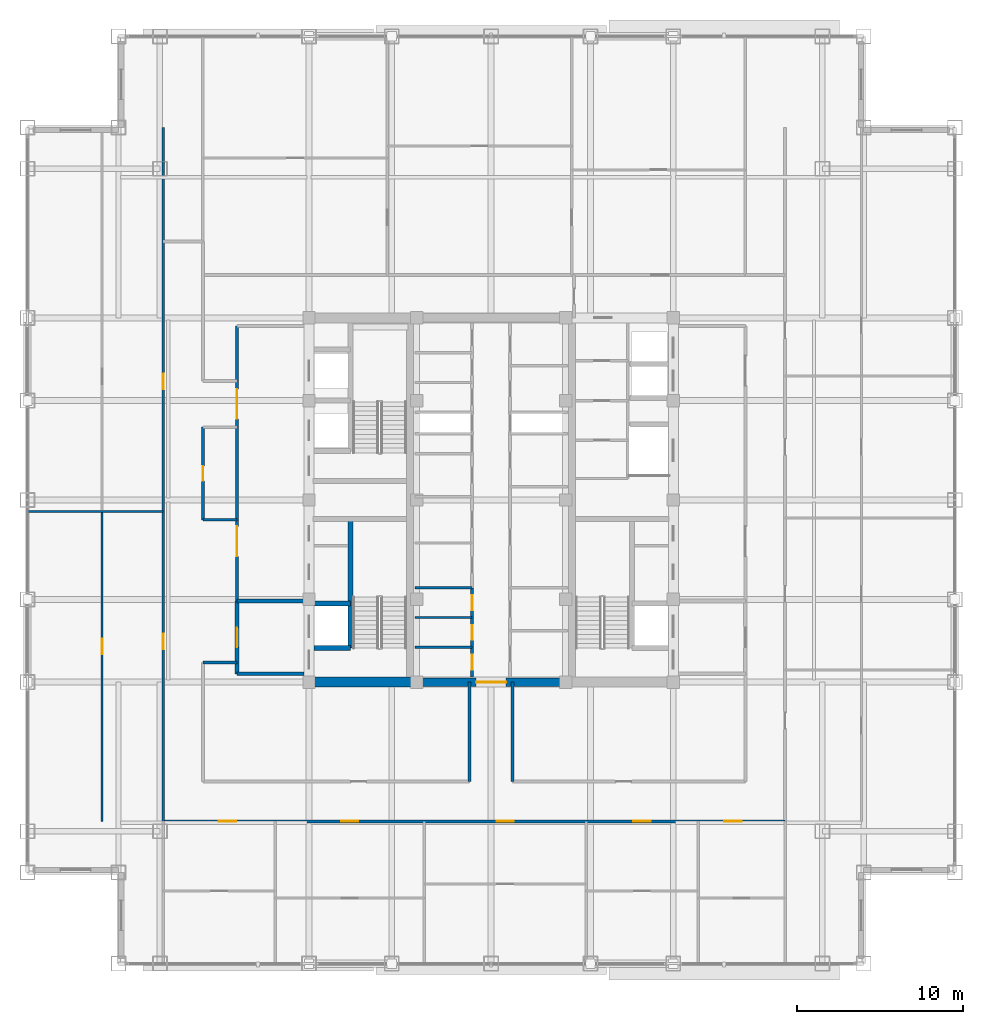
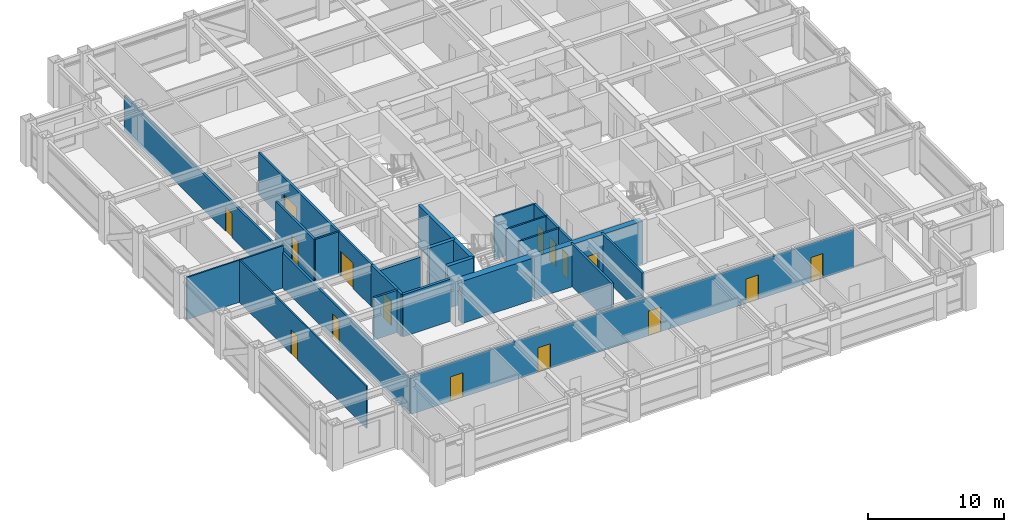
# One storey, part 18 of 27: 22 walls, 16 doors, 16 openings.
"""IFC4 building model written with IfcOpenShell, lengths in metres."""

from ifc_helpers import new_model, si_unit, direction, frame, frame_2d, origin, place, context, subcontext, project, spatial, rectangle, extrude, source, transform, mapped, material, layer, layer_set, type_object, element, fill, save


model = new_model("IFC4")

# Units and contexts
model_context = context("Model", 3, precision=1e-05, world=origin(), true_north=direction((0.0, 1.0)))
body_context = subcontext(model_context, "Body", "Model", "MODEL_VIEW")
ifc_project = project(units=[si_unit("LENGTHUNIT", "METRE"), si_unit("AREAUNIT", "SQUARE_METRE"), si_unit("VOLUMEUNIT", "CUBIC_METRE"), si_unit("PLANEANGLEUNIT", "RADIAN"), si_unit("MASSUNIT", "GRAM", prefix="KILO")], contexts=[model_context])

# Site, building, storey
site_placement = place(None, origin())
site = spatial("IfcSite", under=ifc_project, at=site_placement, CompositionType="ELEMENT")
building_placement = place(site_placement, origin())
building = spatial("IfcBuilding", under=site, at=building_placement, Name="Khorayat Bourse Tower", CompositionType="ELEMENT")
storey_placement = place(building_placement, frame((0.0, 0.0, 281.5)))
storey = spatial("IfcBuildingStorey", under=building, at=storey_placement, Name="L66", CompositionType="ELEMENT", Elevation=281.5)

# Wall
ifc_material_1 = material(Name="Concrete C60/75", Category="concrete")
ifc_layer_1 = layer(ifc_material_1, 0.60009765625)
ifc_layer_set_1 = layer_set([ifc_layer_1], Name="Concrete C60/75")
wall_type_1 = type_object("IfcWallType", Name="WAL-CORE-600", PredefinedType="SHEAR", material=ifc_layer_set_1)
shared_shape_1 = source(origin(), body_context, "Body", "SweptSolid", [
    extrude(rectangle(XDim=5.89990234375, YDim=0.60009765625, at=frame_2d((2.949951171875, 0.0))), origin(), (0.0, 0.0, 1.0), 3.780029296875),
])
wall_1_placement = place(storey_placement, frame((-10.75, -11.0, 0.0), z_axis=(0.0, 0.0, 1.0), x_axis=(1.0, 0.0, 0.0)))
element("IfcWall", 1, at=wall_1_placement, inside=storey, type_object=wall_type_1, Name="L66 Core Shear Wall PIER-WS", PredefinedType="SHEAR", context=body_context, shape_type="MappedRepresentation", body=[
    mapped(shared_shape_1, transform((0.0, 0.0, 0.0), scale=1.0)),
])

# Wall, opening, door
ifc_material_2 = material(Name="Concrete C52/65", Category="concrete")
ifc_layer_2 = layer(ifc_material_2, 0.5)
ifc_layer_set_2 = layer_set([ifc_layer_2], Name="Concrete C52/65")
wall_type_2 = type_object("IfcWallType", Name="WAL-CORE-500", PredefinedType="SHEAR", material=ifc_layer_set_2)
shared_shape_2 = source(origin(), body_context, "Body", "SweptSolid", [
    extrude(rectangle(XDim=9.2001953125, YDim=0.5, at=frame_2d((4.60009765625, 0.0))), origin(), (0.0, 0.0, 1.0), 3.780029296875),
])
wall_2_placement = place(storey_placement, frame((-4.60009765625, -11.0, 0.0), z_axis=(0.0, 0.0, 1.0), x_axis=(1.0, 0.0, 0.0)))
wall_2 = element("IfcWall", 2, at=wall_2_placement, inside=storey, type_object=wall_type_2, Name="L66 Core Shear Wall CORE-S", PredefinedType="SHEAR", context=body_context, shape_type="MappedRepresentation", body=[
    mapped(shared_shape_2, transform((0.0, 0.0, 0.0), scale=1.0)),
])
shared_shape_3 = source(origin(), body_context, "Body", "SweptSolid", [
    extrude(rectangle(XDim=1.800048828125, YDim=2.25, at=frame_2d((0.89990234375, 1.125))), frame((0.0, 0.260009765625, 0.0), z_axis=(0.0, -1.0, 0.0), x_axis=(1.0, 0.0, 0.0)), (0.0, 0.0, 1.0), 0.52001953125),
])
opening_1_placement = place(wall_2_placement, frame((3.699951171875, 0.0, 0.0)))
opening_1 = element("IfcOpeningElement", 3, at=opening_1_placement, cuts=wall_2, Name="Opening DI-03", PredefinedType="OPENING", context=body_context, shape_type="MappedRepresentation", body=[
    mapped(shared_shape_3, transform((0.0, 0.0, 0.0), scale=1.0)),
])
ifc_material_3 = material(Name="Fire-rated hardwood vision-panel double leaf", Category="wood")
door_type_1 = type_object("IfcDoorType", Name="DR-INT-CORR-1800", OperationType="NOTDEFINED", PredefinedType="DOOR", material=ifc_material_3)
shared_shape_4 = source(origin(), body_context, "Body", "SweptSolid", [
    extrude(rectangle(XDim=1.800048828125, YDim=2.25, at=frame_2d((0.89990234375, 1.125))), frame((0.0, 0.02490234375, 0.0), z_axis=(0.0, -1.0, 0.0), x_axis=(1.0, 0.0, 0.0)), (0.0, 0.0, 1.0), 0.050048828125),
])
door_1_placement = place(opening_1_placement, origin())
door_1 = element("IfcDoor", 4, at=door_1_placement, inside=storey, type_object=door_type_1, Name="L66 Central Core South Passage Door", OperationType="SINGLE_SWING_LEFT", OverallHeight=2.25, OverallWidth=1.800048828125, PredefinedType="DOOR", context=body_context, shape_type="MappedRepresentation", body=[
    mapped(shared_shape_4, transform((0.0, 0.0, 0.0), scale=1.0)),
])
fill(opening_1, door_1)

# Walls
ifc_material_4 = material(Name="Aerated concrete blockwork", Category="masonry")
ifc_layer_3 = layer(ifc_material_4, 0.219970703125)
ifc_layer_set_3 = layer_set([ifc_layer_3], Name="Aerated concrete blockwork")
wall_type_3 = type_object("IfcWallType", Name="WAL-PART-FF-220", PredefinedType="PARTITIONING", material=ifc_layer_set_3)
shared_shape_5 = source(origin(), body_context, "Body", "SweptSolid", [
    extrude(rectangle(XDim=4.050048828125, YDim=0.219970703125, at=frame_2d((2.02490234375, 0.0))), origin(), (0.0, 0.0, 1.0), 3.0849609375),
])
wall_3_placement = place(storey_placement, frame((-15.35009765625, -6.10009765625, 0.0), z_axis=(0.0, 0.0, 1.0), x_axis=(1.0, 0.0, 0.0)))
element("IfcWall", 5, at=wall_3_placement, inside=storey, type_object=wall_type_3, Name="L66 Partition WAL-L66-FFLW-N", PredefinedType="PARTITIONING", context=body_context, shape_type="MappedRepresentation", body=[
    mapped(shared_shape_5, transform((0.0, 0.0, 0.0), scale=1.0)),
])
ifc_material_5 = material(Name="Concrete C50/60", Category="concrete")
ifc_layer_4 = layer(ifc_material_5, 0.300048828125)
ifc_layer_set_4 = layer_set([ifc_layer_4], Name="Concrete C50/60")
wall_type_4 = type_object("IfcWallType", Name="WAL-SHAFT-300", PredefinedType="SHEAR", material=ifc_layer_set_4)
shared_shape_6 = source(origin(), body_context, "Body", "SweptSolid", [
    extrude(rectangle(XDim=7.800048828125, YDim=0.300048828125, at=frame_2d((3.89990234375, 0.0))), origin(), (0.0, 0.0, 1.0), 3.780029296875),
])
wall_4_placement = place(storey_placement, frame((-8.5, -8.949951171875, 0.0), z_axis=(0.0, 0.0, 1.0), x_axis=(0.0, 1.0, 0.0)))
element("IfcWall", 6, at=wall_4_placement, inside=storey, type_object=wall_type_4, Name="L66 Partition WAL-L66-WPIER-SP", PredefinedType="SHEAR", context=body_context, shape_type="MappedRepresentation", body=[
    mapped(shared_shape_6, transform((0.0, 0.0, 0.0), scale=1.0)),
])
shared_shape_7 = source(origin(), body_context, "Body", "SweptSolid", [
    extrude(rectangle(XDim=2.199951171875, YDim=0.300048828125, at=frame_2d((1.10009765625, 0.0))), origin(), (0.0, 0.0, 1.0), 3.780029296875),
])
for number, where, z_axis, x_axis, name in (
    (7, (-10.699951171875, -8.949951171875, 0.0), (0.0, 0.0, 1.0), (1.0, 0.0, 0.0), "L66 Partition WAL-L66-WPIER-FF1S"),
    (8, (-10.699951171875, -6.25, 0.0), (0.0, 0.0, 1.0), (1.0, 0.0, 0.0), "L66 Partition WAL-L66-WPIER-FF1N"),
):
    element("IfcWall", number, at=place(storey_placement, frame(where, z_axis=z_axis, x_axis=x_axis)), inside=storey, type_object=wall_type_4, Name=name, PredefinedType="SHEAR", context=body_context, shape_type="MappedRepresentation", body=[
        mapped(shared_shape_7, transform((0.0, 0.0, 0.0), scale=1.0)),
    ])
shared_shape_8 = source(origin(), body_context, "Body", "SweptSolid", [
    extrude(rectangle(XDim=4.050048828125, YDim=0.219970703125, at=frame_2d((2.02490234375, 0.0))), origin(), (0.0, 0.0, 1.0), 3.780029296875),
])
wall_5_placement = place(storey_placement, frame((-15.35009765625, -10.5, 0.0), z_axis=(0.0, 0.0, 1.0), x_axis=(1.0, 0.0, 0.0)))
element("IfcWall", 9, at=wall_5_placement, inside=storey, type_object=wall_type_3, Name="L66 Partition WAL-L66-FFLW-S", PredefinedType="PARTITIONING", context=body_context, shape_type="MappedRepresentation", body=[
    mapped(shared_shape_8, transform((0.0, 0.0, 0.0), scale=1.0)),
])

# Wall, opening, door
shared_shape_9 = source(origin(), body_context, "Body", "SweptSolid", [
    extrude(rectangle(XDim=4.39990234375, YDim=0.219970703125, at=frame_2d((2.199951171875, 0.0))), origin(), (0.0, 0.0, 1.0), 3.780029296875),
])
wall_6_placement = place(storey_placement, frame((-15.35009765625, -10.5, 0.0), z_axis=(0.0, 0.0, 1.0), x_axis=(0.0, 1.0, 0.0)))
wall_6 = element("IfcWall", 10, at=wall_6_placement, inside=storey, type_object=wall_type_3, Name="L66 Partition WAL-L66-FFLW-W", PredefinedType="PARTITIONING", context=body_context, shape_type="MappedRepresentation", body=[
    mapped(shared_shape_9, transform((0.0, 0.0, 0.0), scale=1.0)),
])
shared_shape_10 = source(origin(), body_context, "Body", "SweptSolid", [
    extrude(rectangle(XDim=1.199951171875, YDim=2.199951171875, at=frame_2d((0.60009765625, 1.10009765625))), frame((0.0, 0.119873046875, 0.0), z_axis=(0.0, -1.0, 0.0), x_axis=(1.0, 0.0, 0.0)), (0.0, 0.0, 1.0), 0.239990234375),
])
opening_2_placement = place(wall_6_placement, frame((1.60009765625, 0.0, 0.0)))
opening_2 = element("IfcOpeningElement", 11, at=opening_2_placement, cuts=wall_6, Name="Opening DI-02", PredefinedType="OPENING", context=body_context, shape_type="MappedRepresentation", body=[
    mapped(shared_shape_10, transform((0.0, 0.0, 0.0), scale=1.0)),
])
ifc_material_6 = material(Name="Fire-rated steel double-seal leaf", Category="steel")
door_type_2 = type_object("IfcDoorType", Name="DR-INT-FFLOBBY-1200", OperationType="NOTDEFINED", PredefinedType="DOOR", material=ifc_material_6)
shared_shape_11 = source(origin(), body_context, "Body", "SweptSolid", [
    extrude(rectangle(XDim=1.199951171875, YDim=2.199951171875, at=frame_2d((0.60009765625, 1.10009765625))), frame((0.0, 0.02490234375, 0.0), z_axis=(0.0, -1.0, 0.0), x_axis=(1.0, 0.0, 0.0)), (0.0, 0.0, 1.0), 0.050048828125),
])
door_2_placement = place(opening_2_placement, origin())
door_2 = element("IfcDoor", 12, at=door_2_placement, inside=storey, type_object=door_type_2, Name="L66 West Firefighting Lobby Door", OperationType="SINGLE_SWING_LEFT", OverallHeight=2.199951171875, OverallWidth=1.199951171875, PredefinedType="DOOR", context=body_context, shape_type="MappedRepresentation", body=[
    mapped(shared_shape_11, transform((0.0, 0.0, 0.0), scale=1.0)),
])
fill(opening_2, door_2)

# Wall, openings, doors
ifc_material_7 = material(Name="Gypsum plasterboard acoustic stud wall")
ifc_layer_5 = layer(ifc_material_7, 0.179931640625)
ifc_layer_set_5 = layer_set([ifc_layer_5], Name="Gypsum plasterboard acoustic stud wall")
wall_type_5 = type_object("IfcWallType", Name="WAL-PART-CORR-180", PredefinedType="PARTITIONING", material=ifc_layer_set_5)
shared_shape_12 = source(origin(), body_context, "Body", "SweptSolid", [
    extrude(rectangle(XDim=16.60009765625, YDim=0.179931640625, at=frame_2d((8.300048828125, 0.0))), origin(), (0.0, 0.0, 1.0), 3.780029296875),
])
wall_7_placement = place(storey_placement, frame((-15.35009765625, -6.10009765625, 0.0), z_axis=(0.0, 0.0, 1.0), x_axis=(0.0, 1.0, 0.0)))
wall_7 = element("IfcWall", 13, at=wall_7_placement, inside=storey, type_object=wall_type_5, Name="L66 Partition WAL-L66-WLOB-W", PredefinedType="PARTITIONING", context=body_context, shape_type="MappedRepresentation", body=[
    mapped(shared_shape_12, transform((0.0, 0.0, 0.0), scale=1.0)),
])
shared_shape_13 = source(origin(), body_context, "Body", "SweptSolid", [
    extrude(rectangle(XDim=1.800048828125, YDim=2.25, at=frame_2d((0.89990234375, 1.125))), frame((0.0, 0.099853515625, 0.0), z_axis=(0.0, -1.0, 0.0), x_axis=(1.0, 0.0, 0.0)), (0.0, 0.0, 1.0), 0.199951171875),
])
opening_3_placement = place(wall_7_placement, frame((2.699951171875, 0.0, 0.0)))
opening_3 = element("IfcOpeningElement", 14, at=opening_3_placement, cuts=wall_7, Name="Opening DI-03", PredefinedType="OPENING", context=body_context, shape_type="MappedRepresentation", body=[
    mapped(shared_shape_13, transform((0.0, 0.0, 0.0), scale=1.0)),
])
opening_4_placement = place(wall_7_placement, frame((11.0, 0.0, 0.0)))
opening_4 = element("IfcOpeningElement", 15, at=opening_4_placement, cuts=wall_7, Name="Opening DI-03", PredefinedType="OPENING", context=body_context, shape_type="MappedRepresentation", body=[
    mapped(shared_shape_13, transform((0.0, 0.0, 0.0), scale=1.0)),
])
door_3_placement = place(opening_3_placement, origin())
door_3 = element("IfcDoor", 16, at=door_3_placement, inside=storey, type_object=door_type_1, Name="L66 West Core Lobby South Door", OperationType="SINGLE_SWING_LEFT", OverallHeight=2.25, OverallWidth=1.800048828125, PredefinedType="DOOR", context=body_context, shape_type="MappedRepresentation", body=[
    mapped(shared_shape_4, transform((0.0, 0.0, 0.0), scale=1.0)),
])
fill(opening_3, door_3)
door_4_placement = place(opening_4_placement, origin())
door_4 = element("IfcDoor", 17, at=door_4_placement, inside=storey, type_object=door_type_1, Name="L66 West Core Lobby North Door", OperationType="SINGLE_SWING_RIGHT", OverallHeight=2.25, OverallWidth=1.800048828125, PredefinedType="DOOR", context=body_context, shape_type="MappedRepresentation", body=[
    mapped(shared_shape_4, transform((0.0, 0.0, 0.0), scale=1.0)),
])
fill(opening_4, door_4)

# Wall
ifc_material_8 = material(Name="Gypsum plasterboard twin-frame partition")
ifc_layer_6 = layer(ifc_material_8, 0.14990234375)
ifc_layer_set_6 = layer_set([ifc_layer_6], Name="Gypsum plasterboard twin-frame partition")
wall_type_6 = type_object("IfcWallType", Name="WAL-PART-SUITE-150", PredefinedType="PARTITIONING", material=ifc_layer_set_6)
shared_shape_14 = source(origin(), body_context, "Body", "SweptSolid", [
    extrude(rectangle(XDim=3.4501953125, YDim=0.14990234375, at=frame_2d((1.72509765625, 0.0))), origin(), (0.0, 0.0, 1.0), 3.780029296875),
])
wall_8_placement = place(storey_placement, frame((-4.60009765625, -5.300048828125, 0.0), z_axis=(0.0, 0.0, 1.0), x_axis=(1.0, 0.0, 0.0)))
element("IfcWall", 18, at=wall_8_placement, inside=storey, type_object=wall_type_6, Name="L66 Partition WAL-L66-FB1-NW", PredefinedType="PARTITIONING", context=body_context, shape_type="MappedRepresentation", body=[
    mapped(shared_shape_14, transform((0.0, 0.0, 0.0), scale=1.0)),
])

# Wall, openings, doors
shared_shape_15 = source(origin(), body_context, "Body", "SweptSolid", [
    extrude(rectangle(XDim=5.39990234375, YDim=0.179931640625, at=frame_2d((2.699951171875, 0.0))), origin(), (0.0, 0.0, 1.0), 3.780029296875),
])
wall_9_placement = place(storey_placement, frame((-1.14990234375, -10.699951171875, 0.0), z_axis=(0.0, 0.0, 1.0), x_axis=(0.0, 1.0, 0.0)))
wall_9 = element("IfcWall", 19, at=wall_9_placement, inside=storey, type_object=wall_type_5, Name="L66 Partition WAL-L66-FB1W-L", PredefinedType="PARTITIONING", context=body_context, shape_type="MappedRepresentation", body=[
    mapped(shared_shape_15, transform((0.0, 0.0, 0.0), scale=1.0)),
])
shared_shape_16 = source(origin(), body_context, "Body", "SweptSolid", [
    extrude(rectangle(XDim=0.89990234375, YDim=2.14990234375, at=frame_2d((0.449951171875, 1.074951171875))), frame((0.0, 0.099853515625, 0.0), z_axis=(0.0, -1.0, 0.0), x_axis=(1.0, 0.0, 0.0)), (0.0, 0.0, 1.0), 0.199951171875),
])
opening_5_placement = place(wall_9_placement, frame((0.449951171875, 0.0, 0.0)))
opening_5 = element("IfcOpeningElement", 20, at=opening_5_placement, cuts=wall_9, Name="Opening DI-06", PredefinedType="OPENING", context=body_context, shape_type="MappedRepresentation", body=[
    mapped(shared_shape_16, transform((0.0, 0.0, 0.0), scale=1.0)),
])
opening_6_placement = place(wall_9_placement, frame((2.25, 0.0, 0.0)))
opening_6 = element("IfcOpeningElement", 21, at=opening_6_placement, cuts=wall_9, Name="Opening DI-06", PredefinedType="OPENING", context=body_context, shape_type="MappedRepresentation", body=[
    mapped(shared_shape_16, transform((0.0, 0.0, 0.0), scale=1.0)),
])
opening_7_placement = place(wall_9_placement, frame((4.050048828125, 0.0, 0.0)))
opening_7 = element("IfcOpeningElement", 22, at=opening_7_placement, cuts=wall_9, Name="Opening DI-06", PredefinedType="OPENING", context=body_context, shape_type="MappedRepresentation", body=[
    mapped(shared_shape_16, transform((0.0, 0.0, 0.0), scale=1.0)),
])
ifc_material_9 = material(Name="Moisture-resistant laminate washroom door")
door_type_3 = type_object("IfcDoorType", Name="DR-INT-WC-900", OperationType="NOTDEFINED", PredefinedType="DOOR", material=ifc_material_9)
shared_shape_17 = source(origin(), body_context, "Body", "SweptSolid", [
    extrude(rectangle(XDim=0.89990234375, YDim=2.14990234375, at=frame_2d((0.449951171875, 1.074951171875))), frame((0.0, 0.02490234375, 0.0), z_axis=(0.0, -1.0, 0.0), x_axis=(1.0, 0.0, 0.0)), (0.0, 0.0, 1.0), 0.050048828125),
])
door_5_placement = place(opening_5_placement, origin())
door_5 = element("IfcDoor", 23, at=door_5_placement, inside=storey, type_object=door_type_3, Name="L66 Archive Store A Door", OperationType="SINGLE_SWING_RIGHT", OverallHeight=2.14990234375, OverallWidth=0.89990234375, PredefinedType="DOOR", context=body_context, shape_type="MappedRepresentation", body=[
    mapped(shared_shape_17, transform((0.0, 0.0, 0.0), scale=1.0)),
])
fill(opening_5, door_5)
door_6_placement = place(opening_6_placement, origin())
door_6 = element("IfcDoor", 24, at=door_6_placement, inside=storey, type_object=door_type_3, Name="L66 Patch Comms Room Door", OperationType="SINGLE_SWING_LEFT", OverallHeight=2.14990234375, OverallWidth=0.89990234375, PredefinedType="DOOR", context=body_context, shape_type="MappedRepresentation", body=[
    mapped(shared_shape_17, transform((0.0, 0.0, 0.0), scale=1.0)),
])
fill(opening_6, door_6)
door_7_placement = place(opening_7_placement, origin())
door_7 = element("IfcDoor", 25, at=door_7_placement, inside=storey, type_object=door_type_3, Name="L66 Archive Store B Door", OperationType="SINGLE_SWING_RIGHT", OverallHeight=2.14990234375, OverallWidth=0.89990234375, PredefinedType="DOOR", context=body_context, shape_type="MappedRepresentation", body=[
    mapped(shared_shape_17, transform((0.0, 0.0, 0.0), scale=1.0)),
])
fill(opening_7, door_7)

# Walls
ifc_material_10 = material(Name="Moisture-resistant masonry partition", Category="masonry")
ifc_layer_7 = layer(ifc_material_10, 0.139892578125)
ifc_layer_set_7 = layer_set([ifc_layer_7], Name="Moisture-resistant masonry partition")
wall_type_7 = type_object("IfcWallType", Name="WAL-PART-WET-140", PredefinedType="PARTITIONING", material=ifc_layer_set_7)
shared_shape_18 = source(origin(), body_context, "Body", "SweptSolid", [
    extrude(rectangle(XDim=3.4501953125, YDim=0.139892578125, at=frame_2d((1.72509765625, 0.0))), origin(), (0.0, 0.0, 1.0), 3.780029296875),
])
for number, where, z_axis, x_axis, name in (
    (26, (-4.60009765625, -8.89990234375, 0.0), (0.0, 0.0, 1.0), (1.0, 0.0, 0.0), "L66 Partition WAL-L66-FB1W-D1"),
    (27, (-4.60009765625, -7.10009765625, 0.0), (0.0, 0.0, 1.0), (1.0, 0.0, 0.0), "L66 Partition WAL-L66-FB1W-D2"),
):
    element("IfcWall", number, at=place(storey_placement, frame(where, z_axis=z_axis, x_axis=x_axis)), inside=storey, type_object=wall_type_7, Name=name, PredefinedType="PARTITIONING", context=body_context, shape_type="MappedRepresentation", body=[
        mapped(shared_shape_18, transform((0.0, 0.0, 0.0), scale=1.0)),
    ])

# Wall, opening, door
shared_shape_19 = source(origin(), body_context, "Body", "SweptSolid", [
    extrude(rectangle(XDim=5.599853515625, YDim=0.179931640625, at=frame_2d((2.7998046875, 0.0))), origin(), (0.0, 0.0, 1.0), 3.780029296875),
])
wall_10_placement = place(storey_placement, frame((-17.39990234375, -1.199951171875, 0.0), z_axis=(0.0, 0.0, 1.0), x_axis=(0.0, 1.0, 0.0)))
wall_10 = element("IfcWall", 28, at=wall_10_placement, inside=storey, type_object=wall_type_5, Name="L66 Partition WAL-L66-PKWM-W", PredefinedType="PARTITIONING", context=body_context, shape_type="MappedRepresentation", body=[
    mapped(shared_shape_19, transform((0.0, 0.0, 0.0), scale=1.0)),
])
opening_8_placement = place(wall_10_placement, frame((2.35009765625, 0.0, 0.0)))
opening_8 = element("IfcOpeningElement", 29, at=opening_8_placement, cuts=wall_10, Name="Opening DI-06", PredefinedType="OPENING", context=body_context, shape_type="MappedRepresentation", body=[
    mapped(shared_shape_16, transform((0.0, 0.0, 0.0), scale=1.0)),
])
door_8_placement = place(opening_8_placement, origin())
door_8 = element("IfcDoor", 30, at=door_8_placement, inside=storey, type_object=door_type_3, Name="L66 West Inboard Focus Door", OperationType="SINGLE_SWING_LEFT", OverallHeight=2.14990234375, OverallWidth=0.89990234375, PredefinedType="DOOR", context=body_context, shape_type="MappedRepresentation", body=[
    mapped(shared_shape_17, transform((0.0, 0.0, 0.0), scale=1.0)),
])
fill(opening_8, door_8)

# Walls
shared_shape_20 = source(origin(), body_context, "Body", "SweptSolid", [
    extrude(rectangle(XDim=2.0498046875, YDim=0.14990234375, at=frame_2d((1.02490234375, 0.0))), origin(), (0.0, 0.0, 1.0), 3.780029296875),
])
wall_11_placement = place(storey_placement, frame((-17.39990234375, -1.199951171875, 0.0), z_axis=(0.0, 0.0, 1.0), x_axis=(1.0, 0.0, 0.0)))
element("IfcWall", 31, at=wall_11_placement, inside=storey, type_object=wall_type_6, Name="L66 Partition WAL-L66-PKWM-S", PredefinedType="PARTITIONING", context=body_context, shape_type="MappedRepresentation", body=[
    mapped(shared_shape_20, transform((0.0, 0.0, 0.0), scale=1.0)),
])
shared_shape_21 = source(origin(), body_context, "Body", "SweptSolid", [
    extrude(rectangle(XDim=2.0498046875, YDim=0.179931640625, at=frame_2d((1.02490234375, 0.0))), origin(), (0.0, 0.0, 1.0), 3.780029296875),
])
wall_12_placement = place(storey_placement, frame((-17.39990234375, -9.800048828125, 0.0), z_axis=(0.0, 0.0, 1.0), x_axis=(1.0, 0.0, 0.0)))
element("IfcWall", 32, at=wall_12_placement, inside=storey, type_object=wall_type_5, Name="L66 Partition WAL-L66-THRW-S", PredefinedType="PARTITIONING", context=body_context, shape_type="MappedRepresentation", body=[
    mapped(shared_shape_21, transform((0.0, 0.0, 0.0), scale=1.0)),
])
ifc_material_11 = material(Name="Gypsum plasterboard partition")
ifc_layer_8 = layer(ifc_material_11, 0.125)
ifc_layer_set_8 = layer_set([ifc_layer_8], Name="Gypsum plasterboard partition")
wall_type_8 = type_object("IfcWallType", Name="WAL-PART-ROOM-125", PredefinedType="PARTITIONING", material=ifc_layer_set_8)
shared_shape_22 = source(origin(), body_context, "Body", "SweptSolid", [
    extrude(rectangle(XDim=8.199951171875, YDim=0.125, at=frame_2d((4.10009765625, 0.0))), origin(), (0.0, 0.0, 1.0), 3.780029296875),
])
wall_13_placement = place(storey_placement, frame((-28.0, -0.699951171875, 0.0), z_axis=(0.0, 0.0, 1.0), x_axis=(1.0, 0.0, 0.0)))
element("IfcWall", 33, at=wall_13_placement, inside=storey, type_object=wall_type_8, Name="L66 Partition WAL-L66-WDV-1", PredefinedType="PARTITIONING", context=body_context, shape_type="MappedRepresentation", body=[
    mapped(shared_shape_22, transform((0.0, 0.0, 0.0), scale=1.0)),
])
shared_shape_23 = source(origin(), body_context, "Body", "SweptSolid", [
    extrude(rectangle(XDim=6.0, YDim=0.179931640625, at=frame_2d((3.0, 0.0))), origin(), (0.0, 0.0, 1.0), 3.780029296875),
])
for number, where, z_axis, x_axis, name in (
    (34, (-1.300048828125, -17.0, 0.0), (0.0, 0.0, 1.0), (0.0, 1.0, 0.0), "L66 Partition WAL-L66-PKSW-E"),
    (35, (1.300048828125, -17.0, 0.0), (0.0, 0.0, 1.0), (0.0, 1.0, 0.0), "L66 Partition WAL-L66-PKSE-W"),
):
    element("IfcWall", number, at=place(storey_placement, frame(where, z_axis=z_axis, x_axis=x_axis)), inside=storey, type_object=wall_type_5, Name=name, PredefinedType="PARTITIONING", context=body_context, shape_type="MappedRepresentation", body=[
        mapped(shared_shape_23, transform((0.0, 0.0, 0.0), scale=1.0)),
    ])

# Wall, openings, doors
shared_shape_24 = source(origin(), body_context, "Body", "SweptSolid", [
    extrude(rectangle(XDim=37.550048828125, YDim=0.179931640625, at=frame_2d((18.77490234375, 0.0))), origin(), (0.0, 0.0, 1.0), 3.43310546875),
])
wall_14_placement = place(storey_placement, frame((-19.800048828125, -19.39990234375, 0.0), z_axis=(0.0, 0.0, 1.0), x_axis=(1.0, 0.0, 0.0)))
wall_14 = element("IfcWall", 36, at=wall_14_placement, inside=storey, type_object=wall_type_5, Name="L66 Partition WAL-L66-SCORR", PredefinedType="PARTITIONING", context=body_context, shape_type="MappedRepresentation", body=[
    mapped(shared_shape_24, transform((0.0, 0.0, 0.0), scale=1.0)),
])
shared_shape_25 = source(origin(), body_context, "Body", "SweptSolid", [
    extrude(rectangle(XDim=1.050048828125, YDim=2.199951171875, at=frame_2d((0.52490234375, 1.10009765625))), frame((0.0, 0.099853515625, 0.0), z_axis=(0.0, -1.0, 0.0), x_axis=(1.0, 0.0, 0.0)), (0.0, 0.0, 1.0), 0.199951171875),
])
opening_9_placement = place(wall_14_placement, frame((3.3544921875, 0.0, 0.0)))
opening_9 = element("IfcOpeningElement", 37, at=opening_9_placement, cuts=wall_14, Name="Opening DI-04", PredefinedType="OPENING", context=body_context, shape_type="MappedRepresentation", body=[
    mapped(shared_shape_25, transform((0.0, 0.0, 0.0), scale=1.0)),
])
opening_10_placement = place(wall_14_placement, frame((10.739990234375, 0.0, 0.0)))
opening_10 = element("IfcOpeningElement", 38, at=opening_10_placement, cuts=wall_14, Name="Opening DI-04", PredefinedType="OPENING", context=body_context, shape_type="MappedRepresentation", body=[
    mapped(shared_shape_25, transform((0.0, 0.0, 0.0), scale=1.0)),
])
opening_11_placement = place(wall_14_placement, frame((20.12744140625, 0.0, 0.0)))
opening_11 = element("IfcOpeningElement", 39, at=opening_11_placement, cuts=wall_14, Name="Opening DI-04", PredefinedType="OPENING", context=body_context, shape_type="MappedRepresentation", body=[
    mapped(shared_shape_25, transform((0.0, 0.0, 0.0), scale=1.0)),
])
opening_12_placement = place(wall_14_placement, frame((28.388427734375, 0.0, 0.0)))
opening_12 = element("IfcOpeningElement", 40, at=opening_12_placement, cuts=wall_14, Name="Opening DI-04", PredefinedType="OPENING", context=body_context, shape_type="MappedRepresentation", body=[
    mapped(shared_shape_25, transform((0.0, 0.0, 0.0), scale=1.0)),
])
opening_13_placement = place(wall_14_placement, frame((33.87158203125, 0.0, 0.0)))
opening_13 = element("IfcOpeningElement", 41, at=opening_13_placement, cuts=wall_14, Name="Opening DI-04", PredefinedType="OPENING", context=body_context, shape_type="MappedRepresentation", body=[
    mapped(shared_shape_25, transform((0.0, 0.0, 0.0), scale=1.0)),
])
ifc_material_12 = material(Name="Fire-rated oak veneer suite entrance door")
door_type_4 = type_object("IfcDoorType", Name="DR-INT-SUITE-1050", OperationType="NOTDEFINED", PredefinedType="DOOR", material=ifc_material_12)
shared_shape_26 = source(origin(), body_context, "Body", "SweptSolid", [
    extrude(rectangle(XDim=1.050048828125, YDim=2.199951171875, at=frame_2d((0.52490234375, 1.10009765625))), frame((0.0, 0.02490234375, 0.0), z_axis=(0.0, -1.0, 0.0), x_axis=(1.0, 0.0, 0.0)), (0.0, 0.0, 1.0), 0.050048828125),
])
door_9_placement = place(opening_9_placement, origin())
door_9 = element("IfcDoor", 42, at=door_9_placement, inside=storey, type_object=door_type_4, Name="L66 Equities Trading Desk S1 Door", OperationType="SINGLE_SWING_RIGHT", OverallHeight=2.199951171875, OverallWidth=1.050048828125, PredefinedType="DOOR", context=body_context, shape_type="MappedRepresentation", body=[
    mapped(shared_shape_26, transform((0.0, 0.0, 0.0), scale=1.0)),
])
fill(opening_9, door_9)
door_10_placement = place(opening_10_placement, origin())
door_10 = element("IfcDoor", 43, at=door_10_placement, inside=storey, type_object=door_type_4, Name="L66 Market Risk Analytics Workspace S2 Door", OperationType="SINGLE_SWING_LEFT", OverallHeight=2.199951171875, OverallWidth=1.050048828125, PredefinedType="DOOR", context=body_context, shape_type="MappedRepresentation", body=[
    mapped(shared_shape_26, transform((0.0, 0.0, 0.0), scale=1.0)),
])
fill(opening_10, door_10)
door_11_placement = place(opening_11_placement, origin())
door_11 = element("IfcDoor", 44, at=door_11_placement, inside=storey, type_object=door_type_4, Name="L66 Issuer Listing Showroom S3 Door", OperationType="SINGLE_SWING_RIGHT", OverallHeight=2.199951171875, OverallWidth=1.050048828125, PredefinedType="DOOR", context=body_context, shape_type="MappedRepresentation", body=[
    mapped(shared_shape_26, transform((0.0, 0.0, 0.0), scale=1.0)),
])
fill(opening_11, door_11)
door_12_placement = place(opening_12_placement, origin())
door_12 = element("IfcDoor", 45, at=door_12_placement, inside=storey, type_object=door_type_4, Name="L66 Market Reference Library S4 Door", OperationType="SINGLE_SWING_LEFT", OverallHeight=2.199951171875, OverallWidth=1.050048828125, PredefinedType="DOOR", context=body_context, shape_type="MappedRepresentation", body=[
    mapped(shared_shape_26, transform((0.0, 0.0, 0.0), scale=1.0)),
])
fill(opening_12, door_12)
door_13_placement = place(opening_13_placement, origin())
door_13 = element("IfcDoor", 46, at=door_13_placement, inside=storey, type_object=door_type_4, Name="L66 Clearing Operations Office S5 Door", OperationType="SINGLE_SWING_RIGHT", OverallHeight=2.199951171875, OverallWidth=1.050048828125, PredefinedType="DOOR", context=body_context, shape_type="MappedRepresentation", body=[
    mapped(shared_shape_26, transform((0.0, 0.0, 0.0), scale=1.0)),
])
fill(opening_13, door_13)

# Wall, opening, door
shared_shape_27 = source(origin(), body_context, "Body", "SweptSolid", [
    extrude(rectangle(XDim=18.699951171875, YDim=0.125, at=frame_2d((9.35009765625, 0.0))), origin(), (0.0, 0.0, 1.0), 3.780029296875),
])
wall_15_placement = place(storey_placement, frame((-23.489990234375, -19.39990234375, 0.0), z_axis=(0.0, 0.0, 1.0), x_axis=(0.0, 1.0, 0.0)))
wall_15 = element("IfcWall", 47, at=wall_15_placement, inside=storey, type_object=wall_type_8, Name="L66 Partition WAL-L66-WDP-1", PredefinedType="PARTITIONING", context=body_context, shape_type="MappedRepresentation", body=[
    mapped(shared_shape_27, transform((0.0, 0.0, 0.0), scale=1.0)),
])
shared_shape_28 = source(origin(), body_context, "Body", "SweptSolid", [
    extrude(rectangle(XDim=0.949951171875, YDim=2.14990234375, at=frame_2d((0.47509765625, 1.074951171875))), frame((0.0, 0.072509765625, 0.0), z_axis=(0.0, -1.0, 0.0), x_axis=(1.0, 0.0, 0.0)), (0.0, 0.0, 1.0), 0.14501953125),
])
opening_14_placement = place(wall_15_placement, frame((10.074951171875, 0.0, 0.0)))
opening_14 = element("IfcOpeningElement", 48, at=opening_14_placement, cuts=wall_15, Name="Opening DI-05", PredefinedType="OPENING", context=body_context, shape_type="MappedRepresentation", body=[
    mapped(shared_shape_28, transform((0.0, 0.0, 0.0), scale=1.0)),
])
ifc_material_13 = material(Name="Acoustic oak veneer office door")
door_type_5 = type_object("IfcDoorType", Name="DR-INT-OFFICE-950", OperationType="NOTDEFINED", PredefinedType="DOOR", material=ifc_material_13)
shared_shape_29 = source(origin(), body_context, "Body", "SweptSolid", [
    extrude(rectangle(XDim=0.949951171875, YDim=2.14990234375, at=frame_2d((0.47509765625, 1.074951171875))), frame((0.0, 0.02490234375, 0.0), z_axis=(0.0, -1.0, 0.0), x_axis=(1.0, 0.0, 0.0)), (0.0, 0.0, 1.0), 0.050048828125),
])
door_14_placement = place(opening_14_placement, origin())
door_14 = element("IfcDoor", 49, at=door_14_placement, inside=storey, type_object=door_type_5, Name="L66 Issuer Listing Showroom W1B Door", OperationType="SINGLE_SWING_RIGHT", OverallHeight=2.14990234375, OverallWidth=0.949951171875, PredefinedType="DOOR", context=body_context, shape_type="MappedRepresentation", body=[
    mapped(shared_shape_29, transform((0.0, 0.0, 0.0), scale=1.0)),
])
fill(opening_14, door_14)

# Wall, openings, doors
shared_shape_30 = source(origin(), body_context, "Body", "SweptSolid", [
    extrude(rectangle(XDim=41.89990234375, YDim=0.179931640625, at=frame_2d((20.949951171875, 0.0))), origin(), (0.0, 0.0, 1.0), 3.1640625),
])
wall_16_placement = place(storey_placement, frame((-19.800048828125, -19.39990234375, 0.0), z_axis=(0.0, 0.0, 1.0), x_axis=(0.0, 1.0, 0.0)))
wall_16 = element("IfcWall", 50, at=wall_16_placement, inside=storey, type_object=wall_type_5, Name="L66 Partition WAL-L66-WCORR", PredefinedType="PARTITIONING", context=body_context, shape_type="MappedRepresentation", body=[
    mapped(shared_shape_30, transform((0.0, 0.0, 0.0), scale=1.0)),
])
shared_shape_31 = source(origin(), body_context, "Body", "SweptSolid", [
    extrude(rectangle(XDim=0.949951171875, YDim=2.14990234375, at=frame_2d((0.47509765625, 1.074951171875))), frame((0.0, 0.099853515625, 0.0), z_axis=(0.0, -1.0, 0.0), x_axis=(1.0, 0.0, 0.0)), (0.0, 0.0, 1.0), 0.199951171875),
])
opening_15_placement = place(wall_16_placement, frame((10.375, 0.0, 0.0)))
opening_15 = element("IfcOpeningElement", 51, at=opening_15_placement, cuts=wall_16, Name="Opening DI-05", PredefinedType="OPENING", context=body_context, shape_type="MappedRepresentation", body=[
    mapped(shared_shape_31, transform((0.0, 0.0, 0.0), scale=1.0)),
])
opening_16_placement = place(wall_16_placement, frame((26.074951171875, 0.0, 0.0)))
opening_16 = element("IfcOpeningElement", 52, at=opening_16_placement, cuts=wall_16, Name="Opening DI-05", PredefinedType="OPENING", context=body_context, shape_type="MappedRepresentation", body=[
    mapped(shared_shape_31, transform((0.0, 0.0, 0.0), scale=1.0)),
])
door_15_placement = place(opening_15_placement, origin())
door_15 = element("IfcDoor", 53, at=door_15_placement, inside=storey, type_object=door_type_5, Name="L66 Equities Trading Desk W1 Door", OperationType="SINGLE_SWING_RIGHT", OverallHeight=2.14990234375, OverallWidth=0.949951171875, PredefinedType="DOOR", context=body_context, shape_type="MappedRepresentation", body=[
    mapped(shared_shape_29, transform((0.0, 0.0, 0.0), scale=1.0)),
])
fill(opening_15, door_15)
door_16_placement = place(opening_16_placement, origin())
door_16 = element("IfcDoor", 54, at=door_16_placement, inside=storey, type_object=door_type_5, Name="L66 Brokerage Member Kiosk W2 Door", OperationType="SINGLE_SWING_LEFT", OverallHeight=2.14990234375, OverallWidth=0.949951171875, PredefinedType="DOOR", context=body_context, shape_type="MappedRepresentation", body=[
    mapped(shared_shape_29, transform((0.0, 0.0, 0.0), scale=1.0)),
])
fill(opening_16, door_16)

save(model, "model.ifc")
